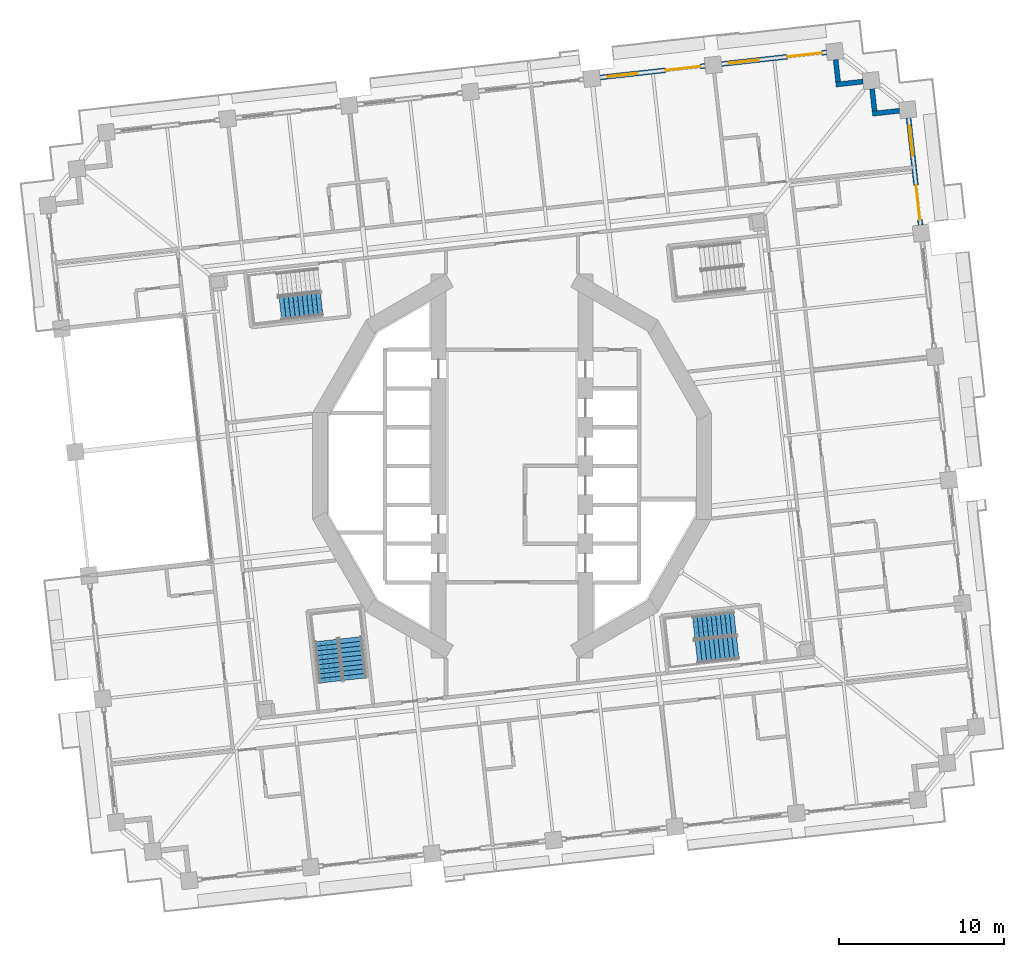
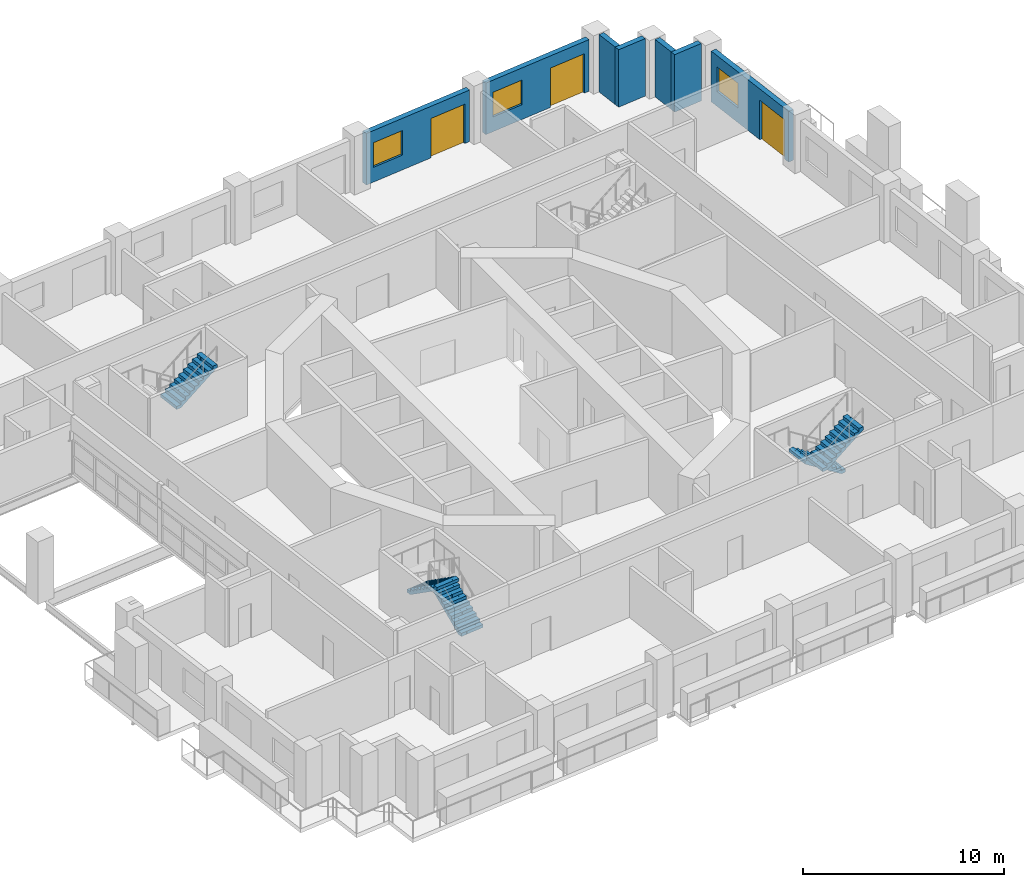
# One storey, part 13 of 21: 7 walls, 5 stair flights, 3 doors, 3 windows, 6 openings, 3 elements without a shape of their own.
"""IFC4 building model written with IfcOpenShell, lengths in metres."""

from ifc_helpers import new_model, si_unit, direction, frame, frame_2d, origin, place, context, subcontext, project, spatial, polyline, rectangle, outline, extrude, material, layer, layer_set, type_object, element, fill, aggregate, save


model = new_model("IFC4")

# Units and contexts
model_context = context("Model", 3, precision=1e-05, world=origin(), true_north=direction((0.0, 1.0)))
body_context = subcontext(model_context, "Body", "Model", "MODEL_VIEW")
ifc_project = project(units=[si_unit("LENGTHUNIT", "METRE"), si_unit("AREAUNIT", "SQUARE_METRE"), si_unit("VOLUMEUNIT", "CUBIC_METRE"), si_unit("PLANEANGLEUNIT", "RADIAN"), si_unit("MASSUNIT", "GRAM", prefix="KILO")], contexts=[model_context])

# Site, building, storey
site_placement = place(None, origin())
site = spatial("IfcSite", under=ifc_project, at=site_placement, CompositionType="ELEMENT")
building_placement = place(site_placement, origin())
building = spatial("IfcBuilding", under=site, at=building_placement, Name="Cantera Rosa Tower", CompositionType="ELEMENT")
storey_placement = place(building_placement, frame((0.0, 0.0, 69.10009765625)))
storey = spatial("IfcBuildingStorey", under=building, at=storey_placement, Name="L14", CompositionType="ELEMENT", Elevation=69.10009765625)

# Walls
ifc_material_1 = material(Name="Hollow clay masonry with cantera stone cladding", Category="masonry")
ifc_layer_1 = layer(ifc_material_1, 0.300048828125)
ifc_layer_set_1 = layer_set([ifc_layer_1], Name="EW-LOGGIA 300")
wall_type_1 = type_object("IfcWallType", Name="EW-LOGGIA 300", PredefinedType="SOLIDWALL", material=ifc_layer_set_1)
wall_1_placement = place(storey_placement, frame((23.46923828125, 21.520263671875, 0.0), z_axis=(0.0, 0.0, 1.0), x_axis=(-0.993905369514, -0.110236638423, 0.0)))
element("IfcWall", 1, at=wall_1_placement, inside=storey, type_object=wall_type_1, Name="EN-L14-W06a", PredefinedType="SOLIDWALL", context=body_context, shape_type="SweptSolid", body=[
    extrude(rectangle(XDim=1.64990234375, YDim=0.300048828125, at=frame_2d((0.824951171875, 0.0))), origin(), (0.0, 0.0, 1.0), 3.5),
])
wall_2_placement = place(storey_placement, frame((21.9619140625, 21.50390625, 0.0), z_axis=(0.0, 0.0, 1.0), x_axis=(-0.110312435488, 0.993896959738, 0.0)))
element("IfcWall", 2, at=wall_2_placement, inside=storey, type_object=wall_type_1, Name="EN-L14-W06b", PredefinedType="SOLIDWALL", context=body_context, shape_type="SweptSolid", body=[
    extrude(rectangle(XDim=1.35009765625, YDim=0.300048828125, at=frame_2d((0.675048828125, 0.0))), origin(), (0.0, 0.0, 1.0), 3.5),
])
wall_3_placement = place(storey_placement, frame((21.2607421875, 23.287353515625, 0.0), z_axis=(0.0, 0.0, 1.0), x_axis=(-0.993905369514, -0.110236638423, 0.0)))
element("IfcWall", 3, at=wall_3_placement, inside=storey, type_object=wall_type_1, Name="EN-L14-W07a", PredefinedType="SOLIDWALL", context=body_context, shape_type="SweptSolid", body=[
    extrude(rectangle(XDim=1.64990234375, YDim=0.300048828125, at=frame_2d((0.824951171875, 0.0))), origin(), (0.0, 0.0, 1.0), 3.5),
])
wall_4_placement = place(storey_placement, frame((19.75341796875, 23.27099609375, 0.0), z_axis=(0.0, 0.0, 1.0), x_axis=(-0.110312435488, 0.993896959738, 0.0)))
element("IfcWall", 4, at=wall_4_placement, inside=storey, type_object=wall_type_1, Name="EN-L14-W07b", PredefinedType="SOLIDWALL", context=body_context, shape_type="SweptSolid", body=[
    extrude(rectangle(XDim=1.35009765625, YDim=0.300048828125, at=frame_2d((0.675048828125, 0.0))), origin(), (0.0, 0.0, 1.0), 3.5),
])

# Wall, openings, window, door
ifc_material_2 = material(Name="Hollow clay masonry with cantera stone cladding", Category="masonry")
ifc_layer_2 = layer(ifc_material_2, 0.300048828125)
ifc_layer_set_2 = layer_set([ifc_layer_2], Name="EW-LOGGIA 300 H3090")
wall_type_2 = type_object("IfcWallType", Name="EW-LOGGIA 300 H3090", PredefinedType="SOLIDWALL", material=ifc_layer_set_2)
wall_5_placement = place(storey_placement, frame((24.74072265625, 14.598388671875, 0.0), z_axis=(0.0, 0.0, 1.0), x_axis=(-0.110312341265, 0.993896970196, 0.0)))
wall_5 = element("IfcWall", 5, at=wall_5_placement, inside=storey, type_object=wall_type_2, Name="EN-L14-W05", PredefinedType="SOLIDWALL", context=body_context, shape_type="SweptSolid", body=[
    extrude(rectangle(XDim=6.52001953125, YDim=0.300048828125, at=frame_2d((3.260009765625, 0.0))), origin(), (0.0, 0.0, 1.0), 3.08984375),
])
opening_1_placement = place(wall_5_placement, frame((0.330078125, 0.0, 0.0)))
opening_1 = element("IfcOpeningElement", 6, at=opening_1_placement, cuts=wall_5, Name="Opening L14-TD09", PredefinedType="OPENING", context=body_context, shape_type="SweptSolid", body=[
    extrude(rectangle(XDim=2.10009765625, YDim=2.39990234375, at=frame_2d((1.050048828125, 1.199951171875))), frame((0.0, 0.159912109375, 0.0), z_axis=(0.0, -1.0, 0.0), x_axis=(1.0, 0.0, 0.0)), (0.0, 0.0, 1.0), 0.320068359375),
])
opening_2_placement = place(wall_5_placement, frame((4.239990234375, 0.0, 0.89990234375)))
opening_2 = element("IfcOpeningElement", 7, at=opening_2_placement, cuts=wall_5, Name="Opening L14-W10", PredefinedType="OPENING", context=body_context, shape_type="SweptSolid", body=[
    extrude(rectangle(XDim=1.800048828125, YDim=1.5, at=frame_2d((0.89990234375, 0.75))), frame((0.0, 0.159912109375, 0.0), z_axis=(0.0, -1.0, 0.0), x_axis=(1.0, 0.0, 0.0)), (0.0, 0.0, 1.0), 0.320068359375),
])
ifc_material_3 = material(Name="Aluminium frame with clear glass", Category="aluminium")
window_type = type_object("IfcWindowType", Name="Hotel room window 1800x1500", PartitioningType="DOUBLE_PANEL_VERTICAL", PredefinedType="WINDOW", material=ifc_material_3)
window_1_placement = place(opening_2_placement, origin())
window_1 = element("IfcWindow", 8, at=window_1_placement, inside=storey, type_object=window_type, Name="WINDOW L14-W10", OverallHeight=1.5, OverallWidth=1.800048828125, PartitioningType="SINGLE_PANEL", PredefinedType="WINDOW", context=body_context, shape_type="SweptSolid", body=[
    extrude(rectangle(XDim=1.800048828125, YDim=1.5, at=frame_2d((0.89990234375, 0.75))), frame((0.0, 0.030029296875, 0.0), z_axis=(0.0, -1.0, 0.0), x_axis=(1.0, 0.0, 0.0)), (0.0, 0.0, 1.0), 0.06005859375),
])
fill(opening_2, window_1)
ifc_material_4 = material(Name="Aluminium frame with clear glass", Category="aluminium")
door_type = type_object("IfcDoorType", Name="TD-H 2100x2400", OperationType="NOTDEFINED", PredefinedType="DOOR", material=ifc_material_4)
door_1_placement = place(opening_1_placement, origin())
door_1 = element("IfcDoor", 9, at=door_1_placement, inside=storey, type_object=door_type, Name="LOGGIA DOOR L14-TD09", OperationType="SLIDING_TO_LEFT", OverallHeight=2.39990234375, OverallWidth=2.10009765625, PredefinedType="DOOR", context=body_context, shape_type="SweptSolid", body=[
    extrude(rectangle(XDim=2.10009765625, YDim=2.39990234375, at=frame_2d((1.050048828125, 1.199951171875))), frame((0.0, 0.02490234375, 0.0), z_axis=(0.0, -1.0, 0.0), x_axis=(1.0, 0.0, 0.0)), (0.0, 0.0, 1.0), 0.050048828125),
])
fill(opening_1, door_1)

ifc_material_5 = material(Name="Hollow clay masonry with cantera stone cladding", Category="masonry")
ifc_layer_3 = layer(ifc_material_5, 0.300048828125)
ifc_layer_set_3 = layer_set([ifc_layer_3], Name="EW-LOGGIA 300 H3140")
wall_type_3 = type_object("IfcWallType", Name="EW-LOGGIA 300 H3140", PredefinedType="SOLIDWALL", material=ifc_layer_set_3)
wall_6_placement = place(storey_placement, frame((19.052490234375, 25.0546875, 0.0), z_axis=(0.0, 0.0, 1.0), x_axis=(-0.993896288542, -0.110318482689, 0.0)))
wall_6 = element("IfcWall", 10, at=wall_6_placement, inside=storey, type_object=wall_type_3, Name="EN-L14-W08", PredefinedType="SOLIDWALL", context=body_context, shape_type="SweptSolid", body=[
    extrude(rectangle(XDim=6.400146484375, YDim=0.300048828125, at=frame_2d((3.2001953125, 0.0))), origin(), (0.0, 0.0, 1.0), 3.139892578125),
])
opening_3_placement = place(wall_6_placement, frame((0.300048828125, 0.0, 0.0)))
opening_3 = element("IfcOpeningElement", 11, at=opening_3_placement, cuts=wall_6, Name="Opening L14-TD11", PredefinedType="OPENING", context=body_context, shape_type="SweptSolid", body=[
    extrude(rectangle(XDim=2.10009765625, YDim=2.39990234375, at=frame_2d((1.050048828125, 1.199951171875))), frame((0.0, 0.159912109375, 0.0), z_axis=(0.0, -1.0, 0.0), x_axis=(1.0, 0.0, 0.0)), (0.0, 0.0, 1.0), 0.320068359375),
])
opening_4_placement = place(wall_6_placement, frame((4.14990234375, 0.0, 0.89990234375)))
opening_4 = element("IfcOpeningElement", 12, at=opening_4_placement, cuts=wall_6, Name="Opening L14-W12", PredefinedType="OPENING", context=body_context, shape_type="SweptSolid", body=[
    extrude(rectangle(XDim=1.800048828125, YDim=1.5, at=frame_2d((0.89990234375, 0.75))), frame((0.0, 0.159912109375, 0.0), z_axis=(0.0, -1.0, 0.0), x_axis=(1.0, 0.0, 0.0)), (0.0, 0.0, 1.0), 0.320068359375),
])
window_2_placement = place(opening_4_placement, origin())
window_2 = element("IfcWindow", 13, at=window_2_placement, inside=storey, type_object=window_type, Name="WINDOW L14-W12", OverallHeight=1.5, OverallWidth=1.800048828125, PartitioningType="SINGLE_PANEL", PredefinedType="WINDOW", context=body_context, shape_type="SweptSolid", body=[
    extrude(rectangle(XDim=1.800048828125, YDim=1.5, at=frame_2d((0.89990234375, 0.75))), frame((0.0, 0.030029296875, 0.0), z_axis=(0.0, -1.0, 0.0), x_axis=(1.0, 0.0, 0.0)), (0.0, 0.0, 1.0), 0.06005859375),
])
fill(opening_4, window_2)
door_2_placement = place(opening_3_placement, origin())
door_2 = element("IfcDoor", 14, at=door_2_placement, inside=storey, type_object=door_type, Name="LOGGIA DOOR L14-TD11", OperationType="SLIDING_TO_LEFT", OverallHeight=2.39990234375, OverallWidth=2.10009765625, PredefinedType="DOOR", context=body_context, shape_type="SweptSolid", body=[
    extrude(rectangle(XDim=2.10009765625, YDim=2.39990234375, at=frame_2d((1.050048828125, 1.199951171875))), frame((0.0, 0.02490234375, 0.0), z_axis=(0.0, -1.0, 0.0), x_axis=(1.0, 0.0, 0.0)), (0.0, 0.0, 1.0), 0.050048828125),
])
fill(opening_3, door_2)

wall_7_placement = place(storey_placement, frame((11.697509765625, 24.23828125, 0.0), z_axis=(0.0, 0.0, 1.0), x_axis=(-0.993895824271, -0.110322665379, 0.0)))
wall_7 = element("IfcWall", 15, at=wall_7_placement, inside=storey, type_object=wall_type_3, Name="EN-L14-W09", PredefinedType="SOLIDWALL", context=body_context, shape_type="SweptSolid", body=[
    extrude(rectangle(XDim=6.39990234375, YDim=0.300048828125, at=frame_2d((3.199951171875, 0.0))), origin(), (0.0, 0.0, 1.0), 3.139892578125),
])
opening_5_placement = place(wall_7_placement, frame((0.300048828125, 0.0, 0.0)))
opening_5 = element("IfcOpeningElement", 16, at=opening_5_placement, cuts=wall_7, Name="Opening L14-TD13", PredefinedType="OPENING", context=body_context, shape_type="SweptSolid", body=[
    extrude(rectangle(XDim=2.10009765625, YDim=2.39990234375, at=frame_2d((1.050048828125, 1.199951171875))), frame((0.0, 0.159912109375, 0.0), z_axis=(0.0, -1.0, 0.0), x_axis=(1.0, 0.0, 0.0)), (0.0, 0.0, 1.0), 0.320068359375),
])
opening_6_placement = place(wall_7_placement, frame((4.14990234375, 0.0, 0.89990234375)))
opening_6 = element("IfcOpeningElement", 17, at=opening_6_placement, cuts=wall_7, Name="Opening L14-W14", PredefinedType="OPENING", context=body_context, shape_type="SweptSolid", body=[
    extrude(rectangle(XDim=1.800048828125, YDim=1.5, at=frame_2d((0.89990234375, 0.75))), frame((0.0, 0.159912109375, 0.0), z_axis=(0.0, -1.0, 0.0), x_axis=(1.0, 0.0, 0.0)), (0.0, 0.0, 1.0), 0.320068359375),
])
window_3_placement = place(opening_6_placement, origin())
window_3 = element("IfcWindow", 18, at=window_3_placement, inside=storey, type_object=window_type, Name="WINDOW L14-W14", OverallHeight=1.5, OverallWidth=1.800048828125, PartitioningType="SINGLE_PANEL", PredefinedType="WINDOW", context=body_context, shape_type="SweptSolid", body=[
    extrude(rectangle(XDim=1.800048828125, YDim=1.5, at=frame_2d((0.89990234375, 0.75))), frame((0.0, 0.030029296875, 0.0), z_axis=(0.0, -1.0, 0.0), x_axis=(1.0, 0.0, 0.0)), (0.0, 0.0, 1.0), 0.06005859375),
])
fill(opening_6, window_3)
door_3_placement = place(opening_5_placement, origin())
door_3 = element("IfcDoor", 19, at=door_3_placement, inside=storey, type_object=door_type, Name="LOGGIA DOOR L14-TD13", OperationType="SLIDING_TO_LEFT", OverallHeight=2.39990234375, OverallWidth=2.10009765625, PredefinedType="DOOR", context=body_context, shape_type="SweptSolid", body=[
    extrude(rectangle(XDim=2.10009765625, YDim=2.39990234375, at=frame_2d((1.050048828125, 1.199951171875))), frame((0.0, 0.02490234375, 0.0), z_axis=(0.0, -1.0, 0.0), x_axis=(1.0, 0.0, 0.0)), (0.0, 0.0, 1.0), 0.050048828125),
])
fill(opening_5, door_3)

# Stair, stair flight
ifc_material_6 = material(Name="Concrete C35/45", Category="concrete")
stair_type = type_object("IfcStairType", Name="EXIT STAIR 1350 DOGLEG", PredefinedType="HALF_TURN_STAIR", material=ifc_material_6)
stair_1_placement = place(storey_placement, origin())
stair_1 = element("IfcStair", 20, at=stair_1_placement, inside=storey, type_object=stair_type, Name="L14 ST-12", PredefinedType="HALF_TURN_STAIR")
ifc_material_7 = material(Name="Concrete C35/45", Category="concrete")
stair_flight_type = type_object("IfcStairFlightType", Name="STAIR FLIGHT 1350 R20x190", PredefinedType="STRAIGHT", material=ifc_material_7)
stair_flight_1_placement = place(storey_placement, frame((-14.030517578125, 9.531005859375, 1.89990234375), z_axis=(0.0, 0.0, 1.0), x_axis=(0.993896947056, 0.110312549749, 0.0)))
stair_flight_1 = element("IfcStairFlight", 21, at=stair_flight_1_placement, type_object=stair_flight_type, Name="ST-12 flight 2", NumberOfRisers=10, NumberOfTreads=9, PredefinedType="STRAIGHT", RiserHeight=0.19, TreadLength=0.28, context=body_context, shape_type="SweptSolid", body=[
    extrude(outline(polyline([(0.0, 0.0), (0.0, 0.18994140625), (0.280029296875, 0.18994140625), (0.280029296875, 0.3798828125), (0.56005859375, 0.3798828125), (0.56005859375, 0.570068359375), (0.840087890625, 0.570068359375), (0.840087890625, 0.760009765625), (1.1201171875, 0.760009765625), (1.1201171875, 0.949951171875), (1.39990234375, 0.949951171875), (1.39990234375, 1.139892578125), (1.679931640625, 1.139892578125), (1.679931640625, 1.330078125), (1.9599609375, 1.330078125), (1.9599609375, 1.52001953125), (2.239990234375, 1.52001953125), (2.239990234375, 1.7099609375), (2.52001953125, 1.7099609375), (2.52001953125, 1.89990234375), (2.52001953125, 1.52880859375), (0.266845703125, 0.0), (0.0, 0.0)])), frame((0.0, 0.675048828125, 0.0), z_axis=(0.0, -1.0, 0.0), x_axis=(1.0, 0.0, 0.0)), (0.0, 0.0, 1.0), 0.3359375),
    extrude(outline(polyline([(0.0, 0.0), (0.0, 0.18994140625), (0.280029296875, 0.18994140625), (0.280029296875, 0.3798828125), (0.56005859375, 0.3798828125), (0.56005859375, 0.570068359375), (0.840087890625, 0.570068359375), (0.840087890625, 0.760009765625), (1.1201171875, 0.760009765625), (1.1201171875, 0.949951171875), (1.39990234375, 0.949951171875), (1.39990234375, 1.139892578125), (1.679931640625, 1.139892578125), (1.679931640625, 1.330078125), (1.9599609375, 1.330078125), (1.9599609375, 1.52001953125), (2.239990234375, 1.52001953125), (2.239990234375, 1.7099609375), (2.52001953125, 1.7099609375), (2.52001953125, 1.89990234375), (2.52001953125, 1.52880859375), (0.266845703125, 0.0), (0.0, 0.0)])), frame((0.0, 0.337158203125, 0.0), z_axis=(0.0, -1.0, 0.0), x_axis=(1.0, 0.0, 0.0)), (0.0, 0.0, 1.0), 0.3359375),
    extrude(outline(polyline([(0.0, 0.0), (0.0, 0.18994140625), (0.280029296875, 0.18994140625), (0.280029296875, 0.3798828125), (0.56005859375, 0.3798828125), (0.56005859375, 0.570068359375), (0.840087890625, 0.570068359375), (0.840087890625, 0.760009765625), (1.1201171875, 0.760009765625), (1.1201171875, 0.949951171875), (1.39990234375, 0.949951171875), (1.39990234375, 1.139892578125), (1.679931640625, 1.139892578125), (1.679931640625, 1.330078125), (1.9599609375, 1.330078125), (1.9599609375, 1.52001953125), (2.239990234375, 1.52001953125), (2.239990234375, 1.7099609375), (2.52001953125, 1.7099609375), (2.52001953125, 1.89990234375), (2.52001953125, 1.52880859375), (0.266845703125, 0.0), (0.0, 0.0)])), frame((0.0, -0.000732421875, 0.0), z_axis=(0.0, -1.0, 0.0), x_axis=(1.0, 0.0, 0.0)), (0.0, 0.0, 1.0), 0.3359375),
    extrude(outline(polyline([(0.0, 0.0), (0.0, 0.18994140625), (0.280029296875, 0.18994140625), (0.280029296875, 0.3798828125), (0.56005859375, 0.3798828125), (0.56005859375, 0.570068359375), (0.840087890625, 0.570068359375), (0.840087890625, 0.760009765625), (1.1201171875, 0.760009765625), (1.1201171875, 0.949951171875), (1.39990234375, 0.949951171875), (1.39990234375, 1.139892578125), (1.679931640625, 1.139892578125), (1.679931640625, 1.330078125), (1.9599609375, 1.330078125), (1.9599609375, 1.52001953125), (2.239990234375, 1.52001953125), (2.239990234375, 1.7099609375), (2.52001953125, 1.7099609375), (2.52001953125, 1.89990234375), (2.52001953125, 1.52880859375), (0.266845703125, 0.0), (0.0, 0.0)])), frame((0.0, -0.338623046875, 0.0), z_axis=(0.0, -1.0, 0.0), x_axis=(1.0, 0.0, 0.0)), (0.0, 0.0, 1.0), 0.3359375),
])
aggregate(stair_1, [stair_flight_1])

# Stair, stair flights
stair_2_placement = place(storey_placement, origin())
stair_2 = element("IfcStair", 22, at=stair_2_placement, inside=storey, type_object=stair_type, Name="L14 ST-13", PredefinedType="HALF_TURN_STAIR")
stair_flight_2_placement = place(storey_placement, frame((-9.500244140625, -12.90869140625, 0.0), z_axis=(0.0, 0.0, 1.0), x_axis=(-0.110312549749, 0.993896947056, 0.0)))
stair_flight_2 = element("IfcStairFlight", 23, at=stair_flight_2_placement, type_object=stair_flight_type, Name="ST-13 flight 1", NumberOfRisers=10, NumberOfTreads=9, PredefinedType="STRAIGHT", RiserHeight=0.19, TreadLength=0.28, context=body_context, shape_type="SweptSolid", body=[
    extrude(outline(polyline([(0.0, 0.0), (0.0, 0.18994140625), (0.280029296875, 0.18994140625), (0.280029296875, 0.3798828125), (0.56005859375, 0.3798828125), (0.56005859375, 0.570068359375), (0.840087890625, 0.570068359375), (0.840087890625, 0.760009765625), (1.1201171875, 0.760009765625), (1.1201171875, 0.949951171875), (1.39990234375, 0.949951171875), (1.39990234375, 1.139892578125), (1.679931640625, 1.139892578125), (1.679931640625, 1.330078125), (1.9599609375, 1.330078125), (1.9599609375, 1.52001953125), (2.239990234375, 1.52001953125), (2.239990234375, 1.7099609375), (2.52001953125, 1.7099609375), (2.52001953125, 1.89990234375), (2.52001953125, 1.52880859375), (0.266845703125, 0.0), (0.0, 0.0)])), frame((0.0, 0.675048828125, 0.0), z_axis=(0.0, -1.0, 0.0), x_axis=(1.0, 0.0, 0.0)), (0.0, 0.0, 1.0), 0.3359375),
    extrude(outline(polyline([(0.0, 0.0), (0.0, 0.18994140625), (0.280029296875, 0.18994140625), (0.280029296875, 0.3798828125), (0.56005859375, 0.3798828125), (0.56005859375, 0.570068359375), (0.840087890625, 0.570068359375), (0.840087890625, 0.760009765625), (1.1201171875, 0.760009765625), (1.1201171875, 0.949951171875), (1.39990234375, 0.949951171875), (1.39990234375, 1.139892578125), (1.679931640625, 1.139892578125), (1.679931640625, 1.330078125), (1.9599609375, 1.330078125), (1.9599609375, 1.52001953125), (2.239990234375, 1.52001953125), (2.239990234375, 1.7099609375), (2.52001953125, 1.7099609375), (2.52001953125, 1.89990234375), (2.52001953125, 1.52880859375), (0.266845703125, 0.0), (0.0, 0.0)])), frame((0.0, 0.337158203125, 0.0), z_axis=(0.0, -1.0, 0.0), x_axis=(1.0, 0.0, 0.0)), (0.0, 0.0, 1.0), 0.3359375),
    extrude(outline(polyline([(0.0, 0.0), (0.0, 0.18994140625), (0.280029296875, 0.18994140625), (0.280029296875, 0.3798828125), (0.56005859375, 0.3798828125), (0.56005859375, 0.570068359375), (0.840087890625, 0.570068359375), (0.840087890625, 0.760009765625), (1.1201171875, 0.760009765625), (1.1201171875, 0.949951171875), (1.39990234375, 0.949951171875), (1.39990234375, 1.139892578125), (1.679931640625, 1.139892578125), (1.679931640625, 1.330078125), (1.9599609375, 1.330078125), (1.9599609375, 1.52001953125), (2.239990234375, 1.52001953125), (2.239990234375, 1.7099609375), (2.52001953125, 1.7099609375), (2.52001953125, 1.89990234375), (2.52001953125, 1.52880859375), (0.266845703125, 0.0), (0.0, 0.0)])), frame((0.0, -0.000732421875, 0.0), z_axis=(0.0, -1.0, 0.0), x_axis=(1.0, 0.0, 0.0)), (0.0, 0.0, 1.0), 0.3359375),
    extrude(outline(polyline([(0.0, 0.0), (0.0, 0.18994140625), (0.280029296875, 0.18994140625), (0.280029296875, 0.3798828125), (0.56005859375, 0.3798828125), (0.56005859375, 0.570068359375), (0.840087890625, 0.570068359375), (0.840087890625, 0.760009765625), (1.1201171875, 0.760009765625), (1.1201171875, 0.949951171875), (1.39990234375, 0.949951171875), (1.39990234375, 1.139892578125), (1.679931640625, 1.139892578125), (1.679931640625, 1.330078125), (1.9599609375, 1.330078125), (1.9599609375, 1.52001953125), (2.239990234375, 1.52001953125), (2.239990234375, 1.7099609375), (2.52001953125, 1.7099609375), (2.52001953125, 1.89990234375), (2.52001953125, 1.52880859375), (0.266845703125, 0.0), (0.0, 0.0)])), frame((0.0, -0.338623046875, 0.0), z_axis=(0.0, -1.0, 0.0), x_axis=(1.0, 0.0, 0.0)), (0.0, 0.0, 1.0), 0.3359375),
])
stair_flight_3_placement = place(storey_placement, frame((-11.26904296875, -10.569580078125, 1.89990234375), z_axis=(0.0, 0.0, 1.0), x_axis=(0.110312549749, -0.993896947056, 0.0)))
stair_flight_3 = element("IfcStairFlight", 24, at=stair_flight_3_placement, type_object=stair_flight_type, Name="ST-13 flight 2", NumberOfRisers=10, NumberOfTreads=9, PredefinedType="STRAIGHT", RiserHeight=0.19, TreadLength=0.28, context=body_context, shape_type="SweptSolid", body=[
    extrude(outline(polyline([(0.0, 0.0), (0.0, 0.18994140625), (0.280029296875, 0.18994140625), (0.280029296875, 0.3798828125), (0.56005859375, 0.3798828125), (0.56005859375, 0.570068359375), (0.840087890625, 0.570068359375), (0.840087890625, 0.760009765625), (1.1201171875, 0.760009765625), (1.1201171875, 0.949951171875), (1.39990234375, 0.949951171875), (1.39990234375, 1.139892578125), (1.679931640625, 1.139892578125), (1.679931640625, 1.330078125), (1.9599609375, 1.330078125), (1.9599609375, 1.52001953125), (2.239990234375, 1.52001953125), (2.239990234375, 1.7099609375), (2.52001953125, 1.7099609375), (2.52001953125, 1.89990234375), (2.52001953125, 1.52880859375), (0.266845703125, 0.0), (0.0, 0.0)])), frame((0.0, 0.675048828125, 0.0), z_axis=(0.0, -1.0, 0.0), x_axis=(1.0, 0.0, 0.0)), (0.0, 0.0, 1.0), 0.3359375),
    extrude(outline(polyline([(0.0, 0.0), (0.0, 0.18994140625), (0.280029296875, 0.18994140625), (0.280029296875, 0.3798828125), (0.56005859375, 0.3798828125), (0.56005859375, 0.570068359375), (0.840087890625, 0.570068359375), (0.840087890625, 0.760009765625), (1.1201171875, 0.760009765625), (1.1201171875, 0.949951171875), (1.39990234375, 0.949951171875), (1.39990234375, 1.139892578125), (1.679931640625, 1.139892578125), (1.679931640625, 1.330078125), (1.9599609375, 1.330078125), (1.9599609375, 1.52001953125), (2.239990234375, 1.52001953125), (2.239990234375, 1.7099609375), (2.52001953125, 1.7099609375), (2.52001953125, 1.89990234375), (2.52001953125, 1.52880859375), (0.266845703125, 0.0), (0.0, 0.0)])), frame((0.0, 0.337158203125, 0.0), z_axis=(0.0, -1.0, 0.0), x_axis=(1.0, 0.0, 0.0)), (0.0, 0.0, 1.0), 0.3359375),
    extrude(outline(polyline([(0.0, 0.0), (0.0, 0.18994140625), (0.280029296875, 0.18994140625), (0.280029296875, 0.3798828125), (0.56005859375, 0.3798828125), (0.56005859375, 0.570068359375), (0.840087890625, 0.570068359375), (0.840087890625, 0.760009765625), (1.1201171875, 0.760009765625), (1.1201171875, 0.949951171875), (1.39990234375, 0.949951171875), (1.39990234375, 1.139892578125), (1.679931640625, 1.139892578125), (1.679931640625, 1.330078125), (1.9599609375, 1.330078125), (1.9599609375, 1.52001953125), (2.239990234375, 1.52001953125), (2.239990234375, 1.7099609375), (2.52001953125, 1.7099609375), (2.52001953125, 1.89990234375), (2.52001953125, 1.52880859375), (0.266845703125, 0.0), (0.0, 0.0)])), frame((0.0, -0.000732421875, 0.0), z_axis=(0.0, -1.0, 0.0), x_axis=(1.0, 0.0, 0.0)), (0.0, 0.0, 1.0), 0.3359375),
    extrude(outline(polyline([(0.0, 0.0), (0.0, 0.18994140625), (0.280029296875, 0.18994140625), (0.280029296875, 0.3798828125), (0.56005859375, 0.3798828125), (0.56005859375, 0.570068359375), (0.840087890625, 0.570068359375), (0.840087890625, 0.760009765625), (1.1201171875, 0.760009765625), (1.1201171875, 0.949951171875), (1.39990234375, 0.949951171875), (1.39990234375, 1.139892578125), (1.679931640625, 1.139892578125), (1.679931640625, 1.330078125), (1.9599609375, 1.330078125), (1.9599609375, 1.52001953125), (2.239990234375, 1.52001953125), (2.239990234375, 1.7099609375), (2.52001953125, 1.7099609375), (2.52001953125, 1.89990234375), (2.52001953125, 1.52880859375), (0.266845703125, 0.0), (0.0, 0.0)])), frame((0.0, -0.338623046875, 0.0), z_axis=(0.0, -1.0, 0.0), x_axis=(1.0, 0.0, 0.0)), (0.0, 0.0, 1.0), 0.3359375),
])
aggregate(stair_2, [stair_flight_2, stair_flight_3])

stair_3_placement = place(storey_placement, origin())
stair_3 = element("IfcStair", 25, at=stair_3_placement, inside=storey, type_object=stair_type, Name="L14 ST-14", PredefinedType="HALF_TURN_STAIR")
stair_flight_4_placement = place(storey_placement, frame((13.5087890625, -9.500244140625, 0.0), z_axis=(0.0, 0.0, 1.0), x_axis=(-0.993896947056, -0.110312549749, 0.0)))
stair_flight_4 = element("IfcStairFlight", 26, at=stair_flight_4_placement, type_object=stair_flight_type, Name="ST-14 flight 1", NumberOfRisers=10, NumberOfTreads=9, PredefinedType="STRAIGHT", RiserHeight=0.19, TreadLength=0.28, context=body_context, shape_type="SweptSolid", body=[
    extrude(outline(polyline([(0.0, 0.0), (0.0, 0.18994140625), (0.280029296875, 0.18994140625), (0.280029296875, 0.3798828125), (0.56005859375, 0.3798828125), (0.56005859375, 0.570068359375), (0.840087890625, 0.570068359375), (0.840087890625, 0.760009765625), (1.1201171875, 0.760009765625), (1.1201171875, 0.949951171875), (1.39990234375, 0.949951171875), (1.39990234375, 1.139892578125), (1.679931640625, 1.139892578125), (1.679931640625, 1.330078125), (1.9599609375, 1.330078125), (1.9599609375, 1.52001953125), (2.239990234375, 1.52001953125), (2.239990234375, 1.7099609375), (2.52001953125, 1.7099609375), (2.52001953125, 1.89990234375), (2.52001953125, 1.52880859375), (0.266845703125, 0.0), (0.0, 0.0)])), frame((0.0, 0.675048828125, 0.0), z_axis=(0.0, -1.0, 0.0), x_axis=(1.0, 0.0, 0.0)), (0.0, 0.0, 1.0), 0.3359375),
    extrude(outline(polyline([(0.0, 0.0), (0.0, 0.18994140625), (0.280029296875, 0.18994140625), (0.280029296875, 0.3798828125), (0.56005859375, 0.3798828125), (0.56005859375, 0.570068359375), (0.840087890625, 0.570068359375), (0.840087890625, 0.760009765625), (1.1201171875, 0.760009765625), (1.1201171875, 0.949951171875), (1.39990234375, 0.949951171875), (1.39990234375, 1.139892578125), (1.679931640625, 1.139892578125), (1.679931640625, 1.330078125), (1.9599609375, 1.330078125), (1.9599609375, 1.52001953125), (2.239990234375, 1.52001953125), (2.239990234375, 1.7099609375), (2.52001953125, 1.7099609375), (2.52001953125, 1.89990234375), (2.52001953125, 1.52880859375), (0.266845703125, 0.0), (0.0, 0.0)])), frame((0.0, 0.337158203125, 0.0), z_axis=(0.0, -1.0, 0.0), x_axis=(1.0, 0.0, 0.0)), (0.0, 0.0, 1.0), 0.3359375),
    extrude(outline(polyline([(0.0, 0.0), (0.0, 0.18994140625), (0.280029296875, 0.18994140625), (0.280029296875, 0.3798828125), (0.56005859375, 0.3798828125), (0.56005859375, 0.570068359375), (0.840087890625, 0.570068359375), (0.840087890625, 0.760009765625), (1.1201171875, 0.760009765625), (1.1201171875, 0.949951171875), (1.39990234375, 0.949951171875), (1.39990234375, 1.139892578125), (1.679931640625, 1.139892578125), (1.679931640625, 1.330078125), (1.9599609375, 1.330078125), (1.9599609375, 1.52001953125), (2.239990234375, 1.52001953125), (2.239990234375, 1.7099609375), (2.52001953125, 1.7099609375), (2.52001953125, 1.89990234375), (2.52001953125, 1.52880859375), (0.266845703125, 0.0), (0.0, 0.0)])), frame((0.0, -0.000732421875, 0.0), z_axis=(0.0, -1.0, 0.0), x_axis=(1.0, 0.0, 0.0)), (0.0, 0.0, 1.0), 0.3359375),
    extrude(outline(polyline([(0.0, 0.0), (0.0, 0.18994140625), (0.280029296875, 0.18994140625), (0.280029296875, 0.3798828125), (0.56005859375, 0.3798828125), (0.56005859375, 0.570068359375), (0.840087890625, 0.570068359375), (0.840087890625, 0.760009765625), (1.1201171875, 0.760009765625), (1.1201171875, 0.949951171875), (1.39990234375, 0.949951171875), (1.39990234375, 1.139892578125), (1.679931640625, 1.139892578125), (1.679931640625, 1.330078125), (1.9599609375, 1.330078125), (1.9599609375, 1.52001953125), (2.239990234375, 1.52001953125), (2.239990234375, 1.7099609375), (2.52001953125, 1.7099609375), (2.52001953125, 1.89990234375), (2.52001953125, 1.52880859375), (0.266845703125, 0.0), (0.0, 0.0)])), frame((0.0, -0.338623046875, 0.0), z_axis=(0.0, -1.0, 0.0), x_axis=(1.0, 0.0, 0.0)), (0.0, 0.0, 1.0), 0.3359375),
])
stair_flight_5_placement = place(storey_placement, frame((11.169677734375, -11.26904296875, 1.89990234375), z_axis=(0.0, 0.0, 1.0), x_axis=(0.993896947056, 0.110312549749, 0.0)))
stair_flight_5 = element("IfcStairFlight", 27, at=stair_flight_5_placement, type_object=stair_flight_type, Name="ST-14 flight 2", NumberOfRisers=10, NumberOfTreads=9, PredefinedType="STRAIGHT", RiserHeight=0.19, TreadLength=0.28, context=body_context, shape_type="SweptSolid", body=[
    extrude(outline(polyline([(0.0, 0.0), (0.0, 0.18994140625), (0.280029296875, 0.18994140625), (0.280029296875, 0.3798828125), (0.56005859375, 0.3798828125), (0.56005859375, 0.570068359375), (0.840087890625, 0.570068359375), (0.840087890625, 0.760009765625), (1.1201171875, 0.760009765625), (1.1201171875, 0.949951171875), (1.39990234375, 0.949951171875), (1.39990234375, 1.139892578125), (1.679931640625, 1.139892578125), (1.679931640625, 1.330078125), (1.9599609375, 1.330078125), (1.9599609375, 1.52001953125), (2.239990234375, 1.52001953125), (2.239990234375, 1.7099609375), (2.52001953125, 1.7099609375), (2.52001953125, 1.89990234375), (2.52001953125, 1.52880859375), (0.266845703125, 0.0), (0.0, 0.0)])), frame((0.0, 0.675048828125, 0.0), z_axis=(0.0, -1.0, 0.0), x_axis=(1.0, 0.0, 0.0)), (0.0, 0.0, 1.0), 0.3359375),
    extrude(outline(polyline([(0.0, 0.0), (0.0, 0.18994140625), (0.280029296875, 0.18994140625), (0.280029296875, 0.3798828125), (0.56005859375, 0.3798828125), (0.56005859375, 0.570068359375), (0.840087890625, 0.570068359375), (0.840087890625, 0.760009765625), (1.1201171875, 0.760009765625), (1.1201171875, 0.949951171875), (1.39990234375, 0.949951171875), (1.39990234375, 1.139892578125), (1.679931640625, 1.139892578125), (1.679931640625, 1.330078125), (1.9599609375, 1.330078125), (1.9599609375, 1.52001953125), (2.239990234375, 1.52001953125), (2.239990234375, 1.7099609375), (2.52001953125, 1.7099609375), (2.52001953125, 1.89990234375), (2.52001953125, 1.52880859375), (0.266845703125, 0.0), (0.0, 0.0)])), frame((0.0, 0.337158203125, 0.0), z_axis=(0.0, -1.0, 0.0), x_axis=(1.0, 0.0, 0.0)), (0.0, 0.0, 1.0), 0.3359375),
    extrude(outline(polyline([(0.0, 0.0), (0.0, 0.18994140625), (0.280029296875, 0.18994140625), (0.280029296875, 0.3798828125), (0.56005859375, 0.3798828125), (0.56005859375, 0.570068359375), (0.840087890625, 0.570068359375), (0.840087890625, 0.760009765625), (1.1201171875, 0.760009765625), (1.1201171875, 0.949951171875), (1.39990234375, 0.949951171875), (1.39990234375, 1.139892578125), (1.679931640625, 1.139892578125), (1.679931640625, 1.330078125), (1.9599609375, 1.330078125), (1.9599609375, 1.52001953125), (2.239990234375, 1.52001953125), (2.239990234375, 1.7099609375), (2.52001953125, 1.7099609375), (2.52001953125, 1.89990234375), (2.52001953125, 1.52880859375), (0.266845703125, 0.0), (0.0, 0.0)])), frame((0.0, -0.000732421875, 0.0), z_axis=(0.0, -1.0, 0.0), x_axis=(1.0, 0.0, 0.0)), (0.0, 0.0, 1.0), 0.3359375),
    extrude(outline(polyline([(0.0, 0.0), (0.0, 0.18994140625), (0.280029296875, 0.18994140625), (0.280029296875, 0.3798828125), (0.56005859375, 0.3798828125), (0.56005859375, 0.570068359375), (0.840087890625, 0.570068359375), (0.840087890625, 0.760009765625), (1.1201171875, 0.760009765625), (1.1201171875, 0.949951171875), (1.39990234375, 0.949951171875), (1.39990234375, 1.139892578125), (1.679931640625, 1.139892578125), (1.679931640625, 1.330078125), (1.9599609375, 1.330078125), (1.9599609375, 1.52001953125), (2.239990234375, 1.52001953125), (2.239990234375, 1.7099609375), (2.52001953125, 1.7099609375), (2.52001953125, 1.89990234375), (2.52001953125, 1.52880859375), (0.266845703125, 0.0), (0.0, 0.0)])), frame((0.0, -0.338623046875, 0.0), z_axis=(0.0, -1.0, 0.0), x_axis=(1.0, 0.0, 0.0)), (0.0, 0.0, 1.0), 0.3359375),
])
aggregate(stair_3, [stair_flight_4, stair_flight_5])

save(model, "model.ifc")
